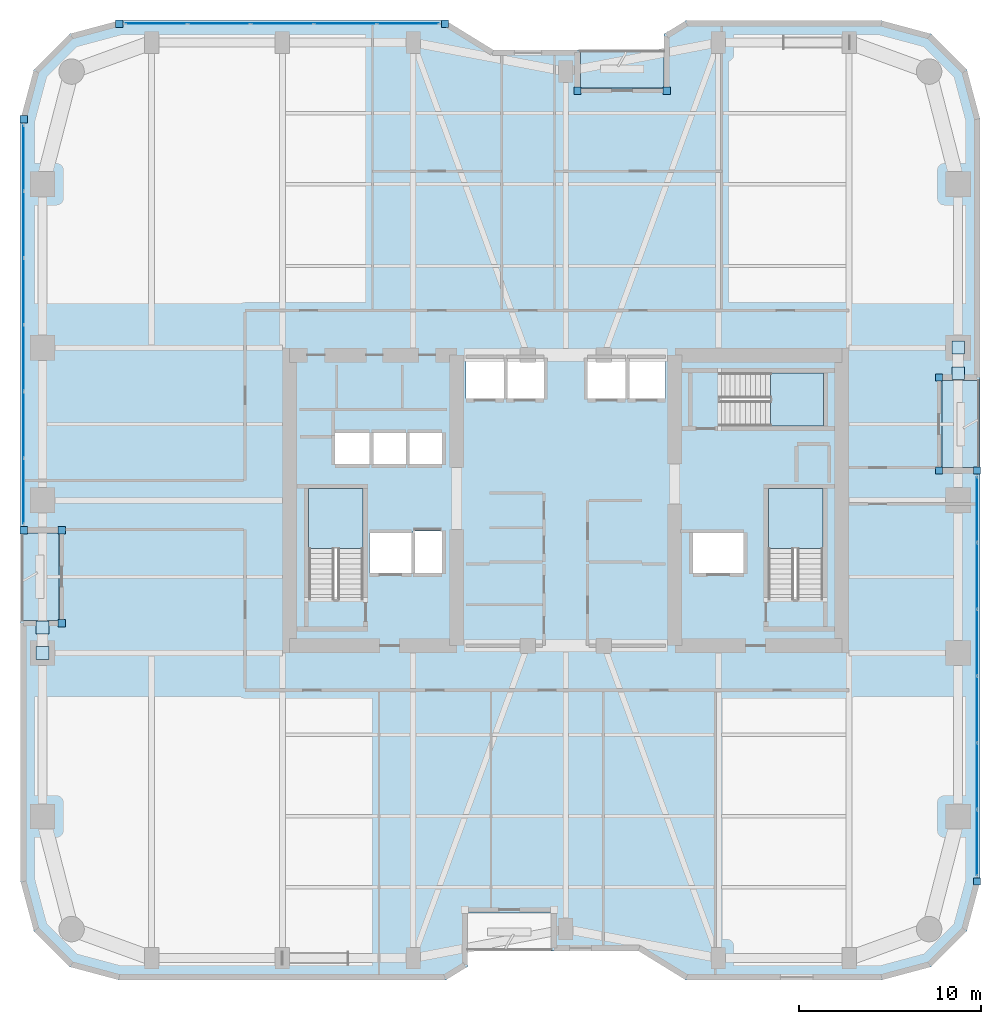
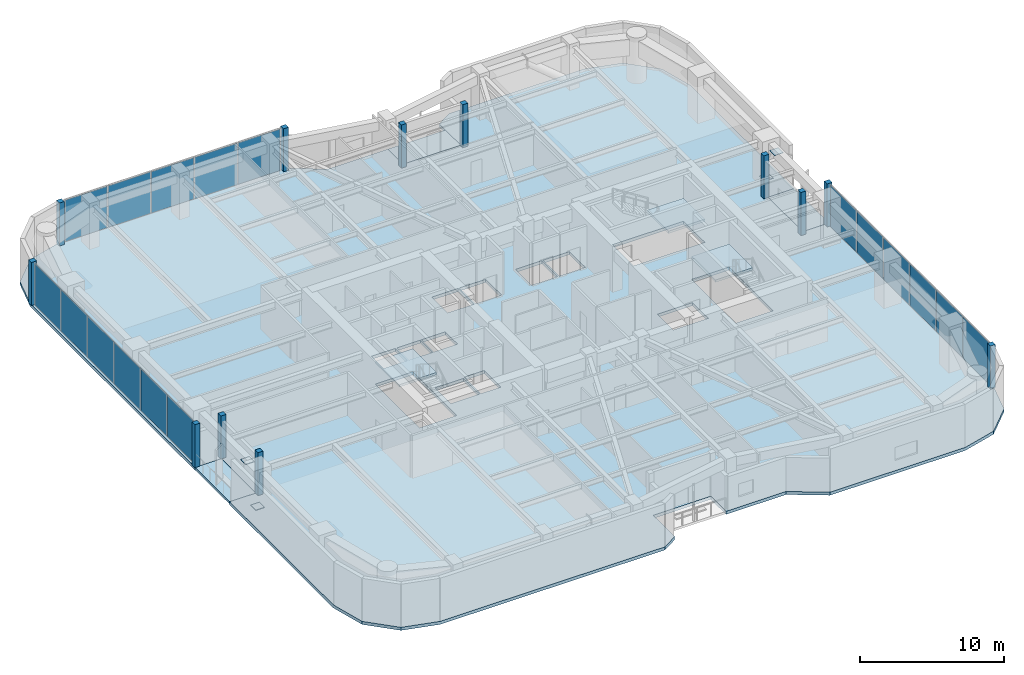
# One storey, part 16 of 24: 33 plates, 7 slabs, 6 elements without a shape of their own.
"""IFC4 building model written with IfcOpenShell, lengths in metres."""

from ifc_helpers import new_model, si_unit, direction, frame, origin, origin_2d, place, context, subcontext, project, spatial, polyline, rectangle, outline, extrude, material, layer, layer_set, type_object, element, aggregate, save


model = new_model("IFC4")

# Units and contexts
model_context = context("Model", 3, precision=1e-05, world=origin(), true_north=direction((0.0, 1.0)))
body_context = subcontext(model_context, "Body", "Model", "MODEL_VIEW")
ifc_project = project(units=[si_unit("LENGTHUNIT", "METRE"), si_unit("AREAUNIT", "SQUARE_METRE"), si_unit("VOLUMEUNIT", "CUBIC_METRE"), si_unit("PLANEANGLEUNIT", "RADIAN"), si_unit("MASSUNIT", "GRAM", prefix="KILO")], contexts=[model_context])

# Site, building, storey
site_placement = place(None, origin())
site = spatial("IfcSite", under=ifc_project, at=site_placement, CompositionType="ELEMENT")
building_placement = place(site_placement, origin())
building = spatial("IfcBuilding", under=site, at=building_placement, Name="Kiyonajd Concourse Tower", CompositionType="ELEMENT")
storey_placement = place(building_placement, frame((0.0, 0.0, 133.800048828125)))
storey = spatial("IfcBuildingStorey", under=building, at=storey_placement, Name="L34", CompositionType="ELEMENT", Elevation=133.800048828125)

# Plates
ifc_material_1 = material(Name="Steel ASTM A572 Grade 50", Category="steel")
ifc_layer_1 = layer(ifc_material_1, 0.028076171875)
ifc_layer_set_1 = layer_set([ifc_layer_1], Name="Steel ASTM A572 Grade 50")
plate_type_1 = type_object("IfcPlateType", Name="PL-CAP-450", PredefinedType="USERDEFINED", material=ifc_layer_set_1)
for number, where, z_axis, x_axis, name in (
    (1, (19.199951171875, 27.59521484375, 0.27587890625), (0.0, 0.0, 1.0), (1.0, 0.0, 0.0), "L34 Hollow Brace End Cap Plate PBW"),
    (2, (19.199951171875, 29.004638671875, 3.2861328125), (0.0, 0.0, 1.0), (1.0, 0.0, 0.0), "L34 Hollow Brace Top Cap Plate PBW"),
    (3, (69.60009765625, 44.40478515625, 0.27587890625), (0.0, 0.0, 1.0), (1.0, 0.0, 0.0), "L34 Hollow Brace End Cap Plate PBE"),
    (4, (69.60009765625, 42.995361328125, 3.2861328125), (0.0, 0.0, 1.0), (1.0, 0.0, 0.0), "L34 Hollow Brace Top Cap Plate PBE"),
):
    element("IfcPlate", number, at=place(storey_placement, frame(where, z_axis=z_axis, x_axis=x_axis)), inside=storey, type_object=plate_type_1, Name=name, ObjectType="CAP PLATE", PredefinedType="USERDEFINED", context=body_context, shape_type="SweptSolid", body=[
        extrude(rectangle(XDim=0.7099609375, YDim=0.7099609375, at=origin_2d()), origin(), (0.0, 0.0, 1.0), 0.028076171875),
    ])

# Curtain wall, plates
ifc_material_2 = material(Name="Thermally Broken Anodised Aluminium", Category="aluminium")
ifc_layer_2 = layer(ifc_material_2, 0.179931640625)
ifc_layer_set_2 = layer_set([ifc_layer_2], Name="Thermally Broken Anodised Aluminium")
curtain_wall_type = type_object("IfcCurtainWallType", Name="CW-SYS-03", PredefinedType="NOTDEFINED", material=ifc_layer_set_2)
curtain_wall_1_placement = place(storey_placement, origin())
curtain_wall_1 = element("IfcCurtainWall", 5, at=curtain_wall_1_placement, inside=storey, type_object=curtain_wall_type, Name="L34 Unitised Curtain Wall CW3", PredefinedType="NOTDEFINED")
ifc_material_3 = material(Name="Double Low-E Insulated Glass", Category="glass")
ifc_layer_3 = layer(ifc_material_3, 0.033935546875)
ifc_layer_set_3 = layer_set([ifc_layer_3], Name="Double Low-E Insulated Glass")
plate_type_2 = type_object("IfcPlateType", Name="PL-CW-VIS34", PredefinedType="CURTAIN_PANEL", material=ifc_layer_set_3)
plate_1_placement = place(storey_placement, frame((18.159912109375, 36.5029296875, 0.06494140625), z_axis=(0.0, 0.0, 1.0), x_axis=(0.0, 1.0, 0.0)))
plate_1 = element("IfcPlate", 6, at=plate_1_placement, type_object=plate_type_2, Name="CW3 panel 1.1", PredefinedType="CURTAIN_PANEL", context=body_context, shape_type="SweptSolid", body=[
    extrude(rectangle(XDim=3.57568359375, YDim=0.033935546875, at=origin_2d()), origin(), (0.0, 0.0, 1.0), 3.510009765625),
])
plate_2_placement = place(storey_placement, frame((18.159912109375, 40.15966796875, 0.06494140625), z_axis=(0.0, 0.0, 1.0), x_axis=(0.0, 1.0, 0.0)))
plate_2 = element("IfcPlate", 7, at=plate_2_placement, type_object=plate_type_2, Name="CW3 panel 2.1", PredefinedType="CURTAIN_PANEL", context=body_context, shape_type="SweptSolid", body=[
    extrude(rectangle(XDim=3.608154296875, YDim=0.033935546875, at=origin_2d()), origin(), (0.0, 0.0, 1.0), 3.510009765625),
])
plate_3_placement = place(storey_placement, frame((18.159912109375, 43.832763671875, 0.06494140625), z_axis=(0.0, 0.0, 1.0), x_axis=(0.0, 1.0, 0.0)))
plate_3 = element("IfcPlate", 8, at=plate_3_placement, type_object=plate_type_2, Name="CW3 panel 3.1", PredefinedType="CURTAIN_PANEL", context=body_context, shape_type="SweptSolid", body=[
    extrude(rectangle(XDim=3.608154296875, YDim=0.033935546875, at=origin_2d()), origin(), (0.0, 0.0, 1.0), 3.510009765625),
])
plate_4_placement = place(storey_placement, frame((18.159912109375, 47.506103515625, 0.06494140625), z_axis=(0.0, 0.0, 1.0), x_axis=(0.0, 1.0, 0.0)))
plate_4 = element("IfcPlate", 9, at=plate_4_placement, type_object=plate_type_2, Name="CW3 panel 4.1", PredefinedType="CURTAIN_PANEL", context=body_context, shape_type="SweptSolid", body=[
    extrude(rectangle(XDim=3.608154296875, YDim=0.033935546875, at=origin_2d()), origin(), (0.0, 0.0, 1.0), 3.510009765625),
])
plate_5_placement = place(storey_placement, frame((18.159912109375, 51.17919921875, 0.06494140625), z_axis=(0.0, 0.0, 1.0), x_axis=(0.0, 1.0, 0.0)))
plate_5 = element("IfcPlate", 10, at=plate_5_placement, type_object=plate_type_2, Name="CW3 panel 5.1", PredefinedType="CURTAIN_PANEL", context=body_context, shape_type="SweptSolid", body=[
    extrude(rectangle(XDim=3.608154296875, YDim=0.033935546875, at=origin_2d()), origin(), (0.0, 0.0, 1.0), 3.510009765625),
])
plate_6_placement = place(storey_placement, frame((18.159912109375, 54.836181640625, 0.06494140625), z_axis=(0.0, 0.0, 1.0), x_axis=(0.0, 1.0, 0.0)))
plate_6 = element("IfcPlate", 11, at=plate_6_placement, type_object=plate_type_2, Name="CW3 panel 6.1", PredefinedType="CURTAIN_PANEL", context=body_context, shape_type="SweptSolid", body=[
    extrude(rectangle(XDim=3.57568359375, YDim=0.033935546875, at=origin_2d()), origin(), (0.0, 0.0, 1.0), 3.510009765625),
])
aggregate(curtain_wall_1, [plate_1, plate_2, plate_3, plate_4, plate_5, plate_6])

curtain_wall_2_placement = place(storey_placement, origin())
curtain_wall_2 = element("IfcCurtainWall", 12, at=curtain_wall_2_placement, inside=storey, type_object=curtain_wall_type, Name="L34 Unitised Curtain Wall CW3", PredefinedType="NOTDEFINED")
plate_7_placement = place(storey_placement, frame((25.462646484375, 62.239990234375, 0.06494140625), z_axis=(0.0, 0.0, 1.0), x_axis=(1.0, 0.0, 0.0)))
plate_7 = element("IfcPlate", 13, at=plate_7_placement, type_object=plate_type_2, Name="CW3 panel 1.1", PredefinedType="CURTAIN_PANEL", context=body_context, shape_type="SweptSolid", body=[
    extrude(rectangle(XDim=3.373291015625, YDim=0.033935546875, at=origin_2d()), origin(), (0.0, 0.0, 1.0), 3.510009765625),
])
plate_8_placement = place(storey_placement, frame((28.917236328125, 62.239990234375, 0.06494140625), z_axis=(0.0, 0.0, 1.0), x_axis=(1.0, 0.0, 0.0)))
plate_8 = element("IfcPlate", 14, at=plate_8_placement, type_object=plate_type_2, Name="CW3 panel 2.1", PredefinedType="CURTAIN_PANEL", context=body_context, shape_type="SweptSolid", body=[
    extrude(rectangle(XDim=3.40576171875, YDim=0.033935546875, at=origin_2d()), origin(), (0.0, 0.0, 1.0), 3.510009765625),
])
plate_9_placement = place(storey_placement, frame((32.387939453125, 62.239990234375, 0.06494140625), z_axis=(0.0, 0.0, 1.0), x_axis=(1.0, 0.0, 0.0)))
plate_9 = element("IfcPlate", 15, at=plate_9_placement, type_object=plate_type_2, Name="CW3 panel 3.1", PredefinedType="CURTAIN_PANEL", context=body_context, shape_type="SweptSolid", body=[
    extrude(rectangle(XDim=3.40576171875, YDim=0.033935546875, at=origin_2d()), origin(), (0.0, 0.0, 1.0), 3.510009765625),
])
plate_10_placement = place(storey_placement, frame((35.858642578125, 62.239990234375, 0.06494140625), z_axis=(0.0, 0.0, 1.0), x_axis=(1.0, 0.0, 0.0)))
plate_10 = element("IfcPlate", 16, at=plate_10_placement, type_object=plate_type_2, Name="CW3 panel 4.1", PredefinedType="CURTAIN_PANEL", context=body_context, shape_type="SweptSolid", body=[
    extrude(rectangle(XDim=3.40576171875, YDim=0.033935546875, at=origin_2d()), origin(), (0.0, 0.0, 1.0), 3.510009765625),
])
plate_11_placement = place(storey_placement, frame((39.31298828125, 62.239990234375, 0.06494140625), z_axis=(0.0, 0.0, 1.0), x_axis=(1.0, 0.0, 0.0)))
plate_11 = element("IfcPlate", 17, at=plate_11_placement, type_object=plate_type_2, Name="CW3 panel 5.1", PredefinedType="CURTAIN_PANEL", context=body_context, shape_type="SweptSolid", body=[
    extrude(rectangle(XDim=3.373291015625, YDim=0.033935546875, at=origin_2d()), origin(), (0.0, 0.0, 1.0), 3.510009765625),
])
aggregate(curtain_wall_2, [plate_7, plate_8, plate_9, plate_10, plate_11])

curtain_wall_3_placement = place(storey_placement, origin())
curtain_wall_3 = element("IfcCurtainWall", 18, at=curtain_wall_3_placement, inside=storey, type_object=curtain_wall_type, Name="L34 Unitised Curtain Wall CW3", PredefinedType="NOTDEFINED")
plate_12_placement = place(storey_placement, frame((70.639892578125, 35.4970703125, 0.06494140625), z_axis=(0.0, 0.0, 1.0), x_axis=(0.0, -1.0, 0.0)))
plate_12 = element("IfcPlate", 19, at=plate_12_placement, type_object=plate_type_2, Name="CW3 panel 1.1", PredefinedType="CURTAIN_PANEL", context=body_context, shape_type="SweptSolid", body=[
    extrude(rectangle(XDim=3.57568359375, YDim=0.033935546875, at=origin_2d()), origin(), (0.0, 0.0, 1.0), 3.510009765625),
])
plate_13_placement = place(storey_placement, frame((70.639892578125, 31.84033203125, 0.06494140625), z_axis=(0.0, 0.0, 1.0), x_axis=(0.0, -1.0, 0.0)))
plate_13 = element("IfcPlate", 20, at=plate_13_placement, type_object=plate_type_2, Name="CW3 panel 2.1", PredefinedType="CURTAIN_PANEL", context=body_context, shape_type="SweptSolid", body=[
    extrude(rectangle(XDim=3.608154296875, YDim=0.033935546875, at=origin_2d()), origin(), (0.0, 0.0, 1.0), 3.510009765625),
])
plate_14_placement = place(storey_placement, frame((70.639892578125, 28.167236328125, 0.06494140625), z_axis=(0.0, 0.0, 1.0), x_axis=(0.0, -1.0, 0.0)))
plate_14 = element("IfcPlate", 21, at=plate_14_placement, type_object=plate_type_2, Name="CW3 panel 3.1", PredefinedType="CURTAIN_PANEL", context=body_context, shape_type="SweptSolid", body=[
    extrude(rectangle(XDim=3.608154296875, YDim=0.033935546875, at=origin_2d()), origin(), (0.0, 0.0, 1.0), 3.510009765625),
])
plate_15_placement = place(storey_placement, frame((70.639892578125, 24.493896484375, 0.06494140625), z_axis=(0.0, 0.0, 1.0), x_axis=(0.0, -1.0, 0.0)))
plate_15 = element("IfcPlate", 22, at=plate_15_placement, type_object=plate_type_2, Name="CW3 panel 4.1", PredefinedType="CURTAIN_PANEL", context=body_context, shape_type="SweptSolid", body=[
    extrude(rectangle(XDim=3.608154296875, YDim=0.033935546875, at=origin_2d()), origin(), (0.0, 0.0, 1.0), 3.510009765625),
])
plate_16_placement = place(storey_placement, frame((70.639892578125, 20.82080078125, 0.06494140625), z_axis=(0.0, 0.0, 1.0), x_axis=(0.0, -1.0, 0.0)))
plate_16 = element("IfcPlate", 23, at=plate_16_placement, type_object=plate_type_2, Name="CW3 panel 5.1", PredefinedType="CURTAIN_PANEL", context=body_context, shape_type="SweptSolid", body=[
    extrude(rectangle(XDim=3.608154296875, YDim=0.033935546875, at=origin_2d()), origin(), (0.0, 0.0, 1.0), 3.510009765625),
])
plate_17_placement = place(storey_placement, frame((70.639892578125, 17.163818359375, 0.06494140625), z_axis=(0.0, 0.0, 1.0), x_axis=(0.0, -1.0, 0.0)))
plate_17 = element("IfcPlate", 24, at=plate_17_placement, type_object=plate_type_2, Name="CW3 panel 6.1", PredefinedType="CURTAIN_PANEL", context=body_context, shape_type="SweptSolid", body=[
    extrude(rectangle(XDim=3.57568359375, YDim=0.033935546875, at=origin_2d()), origin(), (0.0, 0.0, 1.0), 3.510009765625),
])
aggregate(curtain_wall_3, [plate_12, plate_13, plate_14, plate_15, plate_16, plate_17])

# Plates
ifc_layer_4 = layer(ifc_material_2, 0.39990234375)
ifc_layer_set_4 = layer_set([ifc_layer_4], Name="Thermally Broken Anodised Aluminium")
plate_type_3 = type_object("IfcPlateType", Name="PL-JMB-400", PredefinedType="USERDEFINED", material=ifc_layer_set_4)
for number, where, z_axis, x_axis, name in (
    (25, (20.260009765625, 29.239990234375, 0.0), (0.0, 0.0, 1.0), (1.0, 0.0, 0.0), "L34 Facade Jamb Closure Plate 01"),
    (26, (20.260009765625, 34.360107421875, 0.0), (0.0, 0.0, 1.0), (1.0, 0.0, 0.0), "L34 Facade Jamb Closure Plate 02"),
    (27, (18.159912109375, 34.360107421875, 0.0), (0.0, 0.0, 1.0), (1.0, 0.0, 0.0), "L34 Facade Jamb Closure Plate 03"),
    (28, (18.159912109375, 56.97900390625, 0.0), (0.0, 0.0, 1.0), (1.0, 0.0, 0.0), "L34 Facade Jamb Closure Plate 04"),
    (29, (23.421142578125, 62.239990234375, 0.0), (0.0, 0.0, 1.0), (1.0, 0.0, 0.0), "L34 Facade Jamb Closure Plate 05"),
    (30, (41.354736328125, 62.239990234375, 0.0), (0.0, 0.0, 1.0), (1.0, 0.0, 0.0), "L34 Facade Jamb Closure Plate 06"),
    (31, (48.639892578125, 58.5400390625, 0.0), (0.0, 0.0, 1.0), (1.0, 0.0, 0.0), "L34 Facade Jamb Closure Plate 07"),
    (32, (53.56005859375, 58.5400390625, 0.0), (0.0, 0.0, 1.0), (1.0, 0.0, 0.0), "L34 Facade Jamb Closure Plate 08"),
    (33, (68.5400390625, 42.760009765625, 0.0), (0.0, 0.0, 1.0), (1.0, 0.0, 0.0), "L34 Facade Jamb Closure Plate 09"),
    (34, (68.5400390625, 37.639892578125, 0.0), (0.0, 0.0, 1.0), (1.0, 0.0, 0.0), "L34 Facade Jamb Closure Plate 10"),
    (35, (70.639892578125, 37.639892578125, 0.0), (0.0, 0.0, 1.0), (1.0, 0.0, 0.0), "L34 Facade Jamb Closure Plate 11"),
    (36, (70.639892578125, 15.02099609375, 0.0), (0.0, 0.0, 1.0), (1.0, 0.0, 0.0), "L34 Facade Jamb Closure Plate 12"),
):
    element("IfcPlate", number, at=place(storey_placement, frame(where, z_axis=z_axis, x_axis=x_axis)), inside=storey, type_object=plate_type_3, Name=name, ObjectType="JAMB PLATE", PredefinedType="USERDEFINED", context=body_context, shape_type="SweptSolid", body=[
        extrude(rectangle(XDim=0.39990234375, YDim=0.39990234375, at=origin_2d()), origin(), (0.0, 0.0, 1.0), 3.639892578125),
    ])

# Stair, slab
ifc_material_4 = material(Name="Concrete C40/50", Category="concrete")
stair_type = type_object("IfcStairType", Name="ST-DLG-22R", PredefinedType="HALF_TURN_STAIR", material=ifc_material_4)
stair_1_placement = place(storey_placement, origin())
stair_1 = element("IfcStair", 37, at=stair_1_placement, inside=storey, type_object=stair_type, Name="L34 Protected Exit Stair ST1", PredefinedType="HALF_TURN_STAIR")
ifc_layer_5 = layer(ifc_material_4, 0.199951171875)
ifc_layer_set_5 = layer_set([ifc_layer_5], Name="Concrete C40/50")
slab_type_1 = type_object("IfcSlabType", Name="SL-LND-200", PredefinedType="LANDING", material=ifc_layer_set_5)
slab_1_placement = place(storey_placement, frame((0.0, 0.0, 1.75)))
slab_1 = element("IfcSlab", 38, at=slab_1_placement, type_object=slab_type_1, Name="ST1 landing 1", PredefinedType="LANDING", context=body_context, shape_type="SweptSolid", body=[
    extrude(outline(polyline([(36.85009765625, 33.35009765625), (36.85009765625, 36.64990234375), (33.85009765625, 36.64990234375), (33.85009765625, 33.35009765625), (36.85009765625, 33.35009765625)])), origin(), (0.0, 0.0, 1.0), 0.199951171875),
])
aggregate(stair_1, [slab_1])

stair_2_placement = place(storey_placement, origin())
stair_2 = element("IfcStair", 39, at=stair_2_placement, inside=storey, type_object=stair_type, Name="L34 Protected Exit Stair ST2", PredefinedType="HALF_TURN_STAIR")
slab_2_placement = place(storey_placement, frame((0.0, 0.0, 1.75)))
slab_2 = element("IfcSlab", 40, at=slab_2_placement, type_object=slab_type_1, Name="ST2 landing 1", PredefinedType="LANDING", context=body_context, shape_type="SweptSolid", body=[
    extrude(outline(polyline([(62.14990234375, 33.35009765625), (62.14990234375, 36.64990234375), (59.14990234375, 36.64990234375), (59.14990234375, 33.35009765625), (62.14990234375, 33.35009765625)])), origin(), (0.0, 0.0, 1.0), 0.199951171875),
])
aggregate(stair_2, [slab_2])

stair_3_placement = place(storey_placement, origin())
stair_3 = element("IfcStair", 41, at=stair_3_placement, inside=storey, type_object=stair_type, Name="L34 Protected Exit Stair ST3", PredefinedType="HALF_TURN_STAIR")
slab_3_placement = place(storey_placement, frame((0.0, 0.0, 1.75)))
slab_3 = element("IfcSlab", 42, at=slab_3_placement, type_object=slab_type_1, Name="ST3 landing 1", PredefinedType="LANDING", context=body_context, shape_type="SweptSolid", body=[
    extrude(outline(polyline([(59.280029296875, 40.080078125), (62.179931640625, 40.080078125), (62.179931640625, 43.02001953125), (59.280029296875, 43.02001953125), (59.280029296875, 40.080078125)])), origin(), (0.0, 0.0, 1.0), 0.199951171875),
])
aggregate(stair_3, [slab_3])

# Slabs
ifc_material_5 = material(Name="Precast concrete C50/60", Category="concrete")
ifc_layer_6 = layer(ifc_material_5, 0.199951171875)
ifc_layer_set_6 = layer_set([ifc_layer_6], Name="Precast concrete C50/60")
slab_type_2 = type_object("IfcSlabType", Name="SL-LOG-200", PredefinedType="FLOOR", material=ifc_layer_set_6)
slab_4_placement = place(storey_placement, frame((0.0, 0.0, -0.199951171875)))
element("IfcSlab", 43, at=slab_4_placement, inside=storey, type_object=slab_type_2, Name="L34 Recessed Engawa Loggia Terrace Slab LOG-N", PredefinedType="FLOOR", context=body_context, shape_type="SweptSolid", body=[
    extrude(outline(polyline([(48.800048828125, 58.699951171875), (53.39990234375, 58.699951171875), (53.39990234375, 60.800048828125), (48.800048828125, 60.800048828125), (48.800048828125, 58.699951171875)])), origin(), (0.0, 0.0, 1.0), 0.199951171875),
])
slab_5_placement = place(storey_placement, frame((0.0, 0.0, -0.199951171875)))
element("IfcSlab", 44, at=slab_5_placement, inside=storey, type_object=slab_type_2, Name="L34 Recessed Engawa Loggia Terrace Slab LOG-W", PredefinedType="FLOOR", context=body_context, shape_type="SweptSolid", body=[
    extrude(outline(polyline([(18.0, 29.39990234375), (20.10009765625, 29.39990234375), (20.10009765625, 34.199951171875), (18.0, 34.199951171875), (18.0, 29.39990234375)])), origin(), (0.0, 0.0, 1.0), 0.199951171875),
])
slab_6_placement = place(storey_placement, frame((0.0, 0.0, -0.199951171875)))
element("IfcSlab", 45, at=slab_6_placement, inside=storey, type_object=slab_type_2, Name="L34 Recessed Engawa Loggia Terrace Slab LOG-E", PredefinedType="FLOOR", context=body_context, shape_type="SweptSolid", body=[
    extrude(outline(polyline([(68.699951171875, 37.800048828125), (70.800048828125, 37.800048828125), (70.800048828125, 42.60009765625), (68.699951171875, 42.60009765625), (68.699951171875, 37.800048828125)])), origin(), (0.0, 0.0, 1.0), 0.199951171875),
])
ifc_layer_7 = layer(ifc_material_4, 0.260009765625)
ifc_layer_set_7 = layer_set([ifc_layer_7], Name="Concrete C40/50")
slab_type_3 = type_object("IfcSlabType", Name="SL-TWR-260", PredefinedType="FLOOR", material=ifc_layer_set_7)
slab_7_placement = place(storey_placement, frame((0.0, 0.0, -0.260009765625)))
element("IfcSlab", 46, at=slab_7_placement, inside=storey, type_object=slab_type_3, Name="L34 Tower Conditioned Floor Slab", PredefinedType="FLOOR", context=body_context, shape_type="SweptSolid", body=[
    extrude(outline(polyline([(18.722900390625, 12.300048828125), (18.0, 15.0), (18.0, 29.39990234375), (20.10009765625, 29.39990234375), (20.10009765625, 34.199951171875), (18.0, 34.199951171875), (18.0, 57.0), (18.722900390625, 59.699951171875), (20.699951171875, 61.677001953125), (23.39990234375, 62.39990234375), (41.39990234375, 62.39990234375), (44.0, 60.800048828125), (48.800048828125, 60.800048828125), (48.800048828125, 58.699951171875), (53.39990234375, 58.699951171875), (53.39990234375, 61.662109375), (54.60009765625, 62.39990234375), (65.39990234375, 62.39990234375), (68.10009765625, 61.677001953125), (70.076904296875, 59.699951171875), (70.800048828125, 57.0), (70.800048828125, 42.60009765625), (68.699951171875, 42.60009765625), (68.699951171875, 37.800048828125), (70.800048828125, 37.800048828125), (70.800048828125, 15.0), (70.076904296875, 12.300048828125), (68.10009765625, 10.322998046875), (65.39990234375, 9.60009765625), (54.60009765625, 9.60009765625), (52.0, 11.199951171875), (47.199951171875, 11.199951171875), (47.199951171875, 13.300048828125), (42.60009765625, 13.300048828125), (42.60009765625, 10.337890625), (41.39990234375, 9.60009765625), (23.39990234375, 9.60009765625), (20.699951171875, 10.322998046875), (18.722900390625, 12.300048828125)]), holes=[polyline([(39.5, 32.0), (37.199951171875, 32.0), (37.199951171875, 34.199951171875), (39.5, 34.199951171875), (39.5, 32.0)]), polyline([(39.60009765625, 32.0), (39.60009765625, 34.300048828125), (41.199951171875, 34.300048828125), (41.199951171875, 32.0), (39.60009765625, 32.0)]), polyline([(33.85009765625, 30.550048828125), (33.85009765625, 36.64990234375), (36.85009765625, 36.64990234375), (36.85009765625, 30.550048828125), (33.85009765625, 30.550048828125)]), polyline([(37.199951171875, 38.0), (35.300048828125, 38.0), (35.300048828125, 39.699951171875), (37.199951171875, 39.699951171875), (37.199951171875, 38.0)]), polyline([(37.300048828125, 38.0), (37.300048828125, 39.699951171875), (39.199951171875, 39.699951171875), (39.199951171875, 38.0), (37.300048828125, 38.0)]), polyline([(39.300048828125, 38.0), (39.300048828125, 39.699951171875), (41.199951171875, 39.699951171875), (41.199951171875, 38.0), (39.300048828125, 38.0)]), polyline([(44.60009765625, 41.60009765625), (42.5, 41.60009765625), (42.5, 43.800048828125), (44.60009765625, 43.800048828125), (44.60009765625, 41.60009765625)]), polyline([(55.0, 32.0), (55.0, 34.199951171875), (57.800048828125, 34.199951171875), (57.800048828125, 32.0), (55.0, 32.0)]), polyline([(59.14990234375, 30.550048828125), (59.14990234375, 36.64990234375), (62.14990234375, 36.64990234375), (62.14990234375, 30.550048828125), (59.14990234375, 30.550048828125)]), polyline([(56.47998046875, 43.02001953125), (62.179931640625, 43.02001953125), (62.179931640625, 40.080078125), (56.47998046875, 40.080078125), (56.47998046875, 43.02001953125)]), polyline([(44.699951171875, 41.60009765625), (44.699951171875, 43.800048828125), (46.800048828125, 43.800048828125), (46.800048828125, 41.60009765625), (44.699951171875, 41.60009765625)]), polyline([(49.199951171875, 41.60009765625), (49.199951171875, 43.800048828125), (51.300048828125, 43.800048828125), (51.300048828125, 41.60009765625), (49.199951171875, 41.60009765625)]), polyline([(51.39990234375, 41.60009765625), (51.39990234375, 43.800048828125), (53.5, 43.800048828125), (53.5, 41.60009765625), (51.39990234375, 41.60009765625)])]), origin(), (0.0, 0.0, 1.0), 0.260009765625),
])

save(model, "model.ifc")
